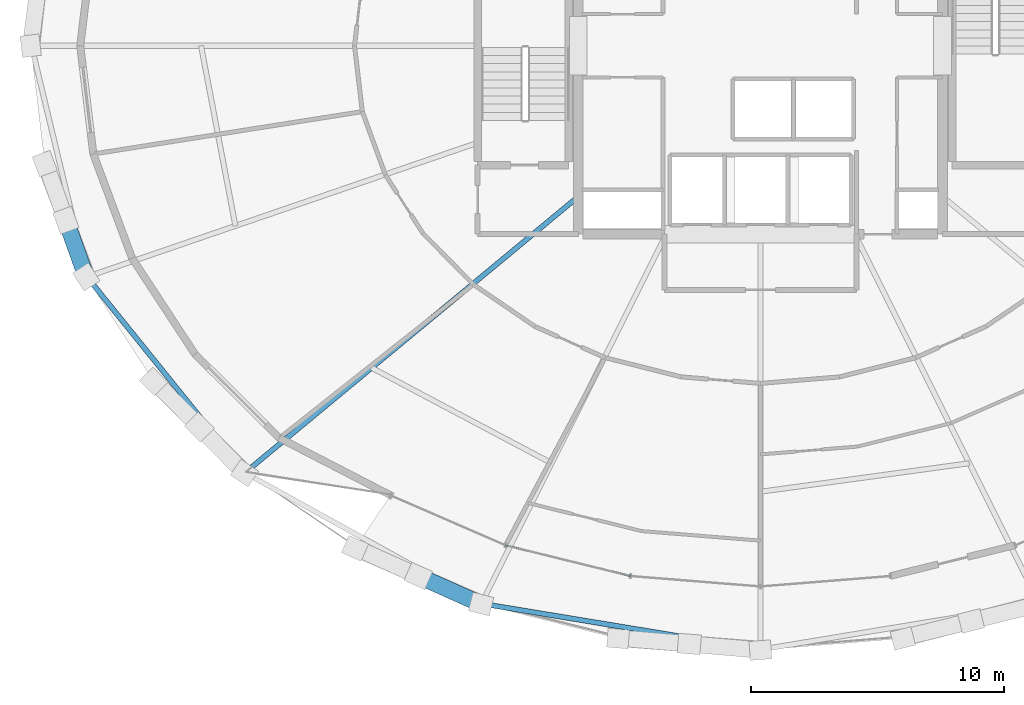
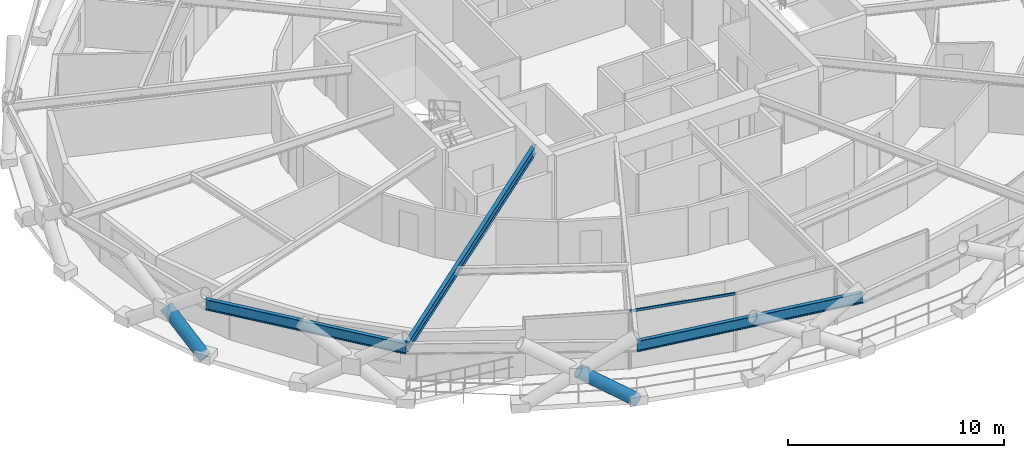
# One storey, part 2 of 21: 3 beams, 3 members, 1 element without a shape of its own.
"""IFC4 building model written with IfcOpenShell, lengths in metres."""

from ifc_helpers import new_model, si_unit, direction, frame, origin, origin_2d, place, context, subcontext, project, spatial, hollow_rectangle, hollow_circle, i_section, extrude, material, layer, layer_set, material_profile, profile_set, type_object, element, aggregate, save


model = new_model("IFC4")

# Units and contexts
model_context = context("Model", 3, precision=1e-05, world=origin(), true_north=direction((0.0, 1.0)))
body_context = subcontext(model_context, "Body", "Model", "MODEL_VIEW")
ifc_project = project(units=[si_unit("LENGTHUNIT", "METRE"), si_unit("AREAUNIT", "SQUARE_METRE"), si_unit("VOLUMEUNIT", "CUBIC_METRE"), si_unit("PLANEANGLEUNIT", "RADIAN"), si_unit("MASSUNIT", "GRAM", prefix="KILO")], contexts=[model_context])

# Site, building, storey
site_placement = place(None, origin())
site = spatial("IfcSite", under=ifc_project, at=site_placement, CompositionType="ELEMENT")
building_placement = place(site_placement, origin())
building = spatial("IfcBuilding", under=site, at=building_placement, Name="Veldorina Hangang Commons", CompositionType="ELEMENT")
storey_placement = place(building_placement, frame((0.0, 0.0, 98.800048828125)))
storey = spatial("IfcBuildingStorey", under=building, at=storey_placement, Name="L25", CompositionType="ELEMENT", Elevation=98.800048828125)

# Beams
ifc_material_1 = material(Name="Steel SM420-TMC", Category="steel")
ifc_material_profile_1 = material_profile(ifc_material_1, i_section(OverallWidth=0.199951171875, OverallDepth=0.5, WebThickness=0.010009765625, FlangeThickness=0.01611328125, FilletRadius=0.01611328125, at=origin_2d()), Name="H-500x200x10x16")
ifc_profile_set_1 = profile_set([ifc_material_profile_1], Name="Steel SM420-TMC")
beam_type_1 = type_object("IfcBeamType", Name="BM-FG500", PredefinedType="BEAM", material=ifc_profile_set_1)
beam_1_placement = place(storey_placement, frame((24.800048828125, 18.035888671875, 3.08984375), z_axis=(-0.77009662976, -0.637927253559, 0.0), x_axis=(0.637927253559, -0.77009662976, 0.0)))
element("IfcBeam", 1, at=beam_1_placement, inside=storey, type_object=beam_type_1, Name="L25 radial floor girder 11", PredefinedType="BEAM", context=body_context, shape_type="SweptSolid", body=[
    extrude(i_section(OverallWidth=0.199951171875, OverallDepth=0.5, WebThickness=0.010009765625, FlangeThickness=0.01611328125, FilletRadius=0.01611328125, at=origin_2d()), origin(), (0.0, 0.0, 1.0), 17.117919921875),
])
ifc_material_profile_2 = material_profile(ifc_material_1, i_section(OverallWidth=0.199951171875, OverallDepth=0.60009765625, WebThickness=0.010986328125, FlangeThickness=0.01708984375, FilletRadius=0.01806640625, at=origin_2d()), Name="H-600x200x11x17")
ifc_profile_set_2 = profile_set([ifc_material_profile_2], Name="Steel SM420-TMC")
beam_type_2 = type_object("IfcBeamType", Name="BM-RB600", PredefinedType="BEAM", material=ifc_profile_set_2)
beam_2_placement = place(storey_placement, frame((5.369140625, 14.8623046875, 3.0400390625), z_axis=(0.627843068855, -0.778339952008, 0.0), x_axis=(0.778339952008, 0.627843068855, 0.0)))
element("IfcBeam", 2, at=beam_2_placement, inside=storey, type_object=beam_type_2, Name="L25 perimeter hoop ring beam 18", PredefinedType="BEAM", context=body_context, shape_type="SweptSolid", body=[
    extrude(i_section(OverallWidth=0.199951171875, OverallDepth=0.60009765625, WebThickness=0.010986328125, FlangeThickness=0.01708984375, FilletRadius=0.01806640625, at=origin_2d()), origin(), (0.0, 0.0, 1.0), 9.952392578125),
])
beam_3_placement = place(storey_placement, frame((20.968994140625, 1.93994140625, 3.0400390625), z_axis=(0.986695028377, -0.162582043828, 0.0), x_axis=(0.162582043828, 0.986695028377, 0.0)))
element("IfcBeam", 3, at=beam_3_placement, inside=storey, type_object=beam_type_2, Name="L25 perimeter hoop ring beam 22", PredefinedType="BEAM", context=body_context, shape_type="SweptSolid", body=[
    extrude(i_section(OverallWidth=0.199951171875, OverallDepth=0.60009765625, WebThickness=0.010986328125, FlangeThickness=0.01708984375, FilletRadius=0.01806640625, at=origin_2d()), origin(), (0.0, 0.0, 1.0), 11.1796875),
])

# Curtain wall, member
ifc_material_2 = material(Name="Glass Low-E Triple IGU", Category="glass")
ifc_layer = layer(ifc_material_2, 0.179931640625)
ifc_layer_set = layer_set([ifc_layer], Name="Glass Low-E Triple IGU")
curtain_wall_type = type_object("IfcCurtainWallType", Name="CW-SYS-Z1", PredefinedType="NOTDEFINED", material=ifc_layer_set)
curtain_wall_placement = place(storey_placement, origin())
curtain_wall = element("IfcCurtainWall", 4, at=curtain_wall_placement, inside=storey, type_object=curtain_wall_type, Name="L25 unitised curtain wall CW-L25-R1", PredefinedType="NOTDEFINED")
ifc_material_3 = material(Name="Aluminium Anodized AA6063-T6", Category="aluminium")
ifc_material_profile_3 = material_profile(ifc_material_3, hollow_rectangle(XDim=0.06005859375, YDim=0.139892578125, WallThickness=0.00341796875, at=origin_2d()), Name="ALU-RHS-140x60x3.5")
ifc_profile_set_3 = profile_set([ifc_material_profile_3], Name="Aluminium Anodized AA6063-T6")
member_type_1 = type_object("IfcMemberType", Name="CW-TRN-140", PredefinedType="USERDEFINED", material=ifc_profile_set_3)
member_1_placement = place(storey_placement, frame((21.922119140625, 4.248779296875, 3.260009765625), z_axis=(0.970991743562, -0.239113014982, 0.0), x_axis=(0.239113014982, 0.970991743562, 0.0)))
member_1 = element("IfcMember", 5, at=member_1_placement, type_object=member_type_1, Name="CW-L25-R1 facet 2 transom 1", ObjectType="TRANSOM", PredefinedType="USERDEFINED", context=body_context, shape_type="SweptSolid", body=[
    extrude(hollow_rectangle(XDim=0.06005859375, YDim=0.139892578125, WallThickness=0.00341796875, at=origin_2d()), origin(), (0.0, 0.0, 1.0), 5.087890625),
])
aggregate(curtain_wall, [member_1])

# Members
ifc_material_4 = material(Name="Steel SM460-TMC", Category="steel")
ifc_material_profile_4 = material_profile(ifc_material_4, hollow_circle(Radius=0.324951171875, WallThickness=0.031982421875, at=origin_2d()), Name="CHS-650x32")
ifc_profile_set_4 = profile_set([ifc_material_profile_4], Name="Steel SM460-TMC")
member_type_2 = type_object("IfcMemberType", Name="DG-CHS650", PredefinedType="BRACE", material=ifc_profile_set_4)
member_2_placement = place(storey_placement, frame((5.341552734375, 14.8544921875, 0.0), z_axis=(-0.269176017376, 0.751242080665, 0.602643848311), x_axis=(-0.941393999899, -0.337308963644, 0.0)))
element("IfcMember", 6, at=member_2_placement, inside=storey, type_object=member_type_2, Name="L25 split perimeter diagrid lower brace 18", PredefinedType="BRACE", context=body_context, shape_type="SweptSolid", body=[
    extrude(hollow_circle(Radius=0.324951171875, WallThickness=0.031982421875, at=origin_2d()), origin(), (0.0, 0.0, 1.0), 2.988525390625),
])
member_3_placement = place(storey_placement, frame((20.957763671875, 1.920654296875, 0.0), z_axis=(-0.761174589321, 0.34138115972, 0.551427373605), x_axis=(-0.409220555506, -0.91243549742, 0.0)))
element("IfcMember", 7, at=member_3_placement, inside=storey, type_object=member_type_2, Name="L25 split perimeter diagrid lower brace 22", PredefinedType="BRACE", context=body_context, shape_type="SweptSolid", body=[
    extrude(hollow_circle(Radius=0.324951171875, WallThickness=0.031982421875, at=origin_2d()), origin(), (0.0, 0.0, 1.0), 3.26611328125),
])

save(model, "model.ifc")
